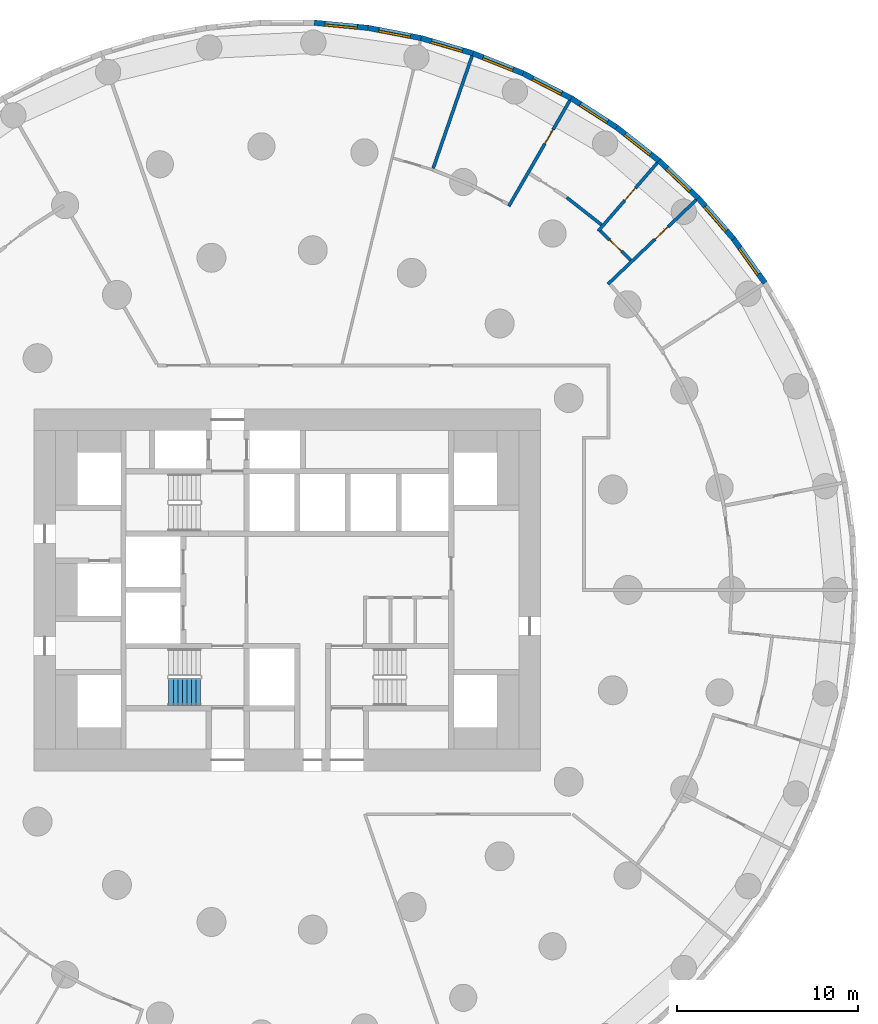
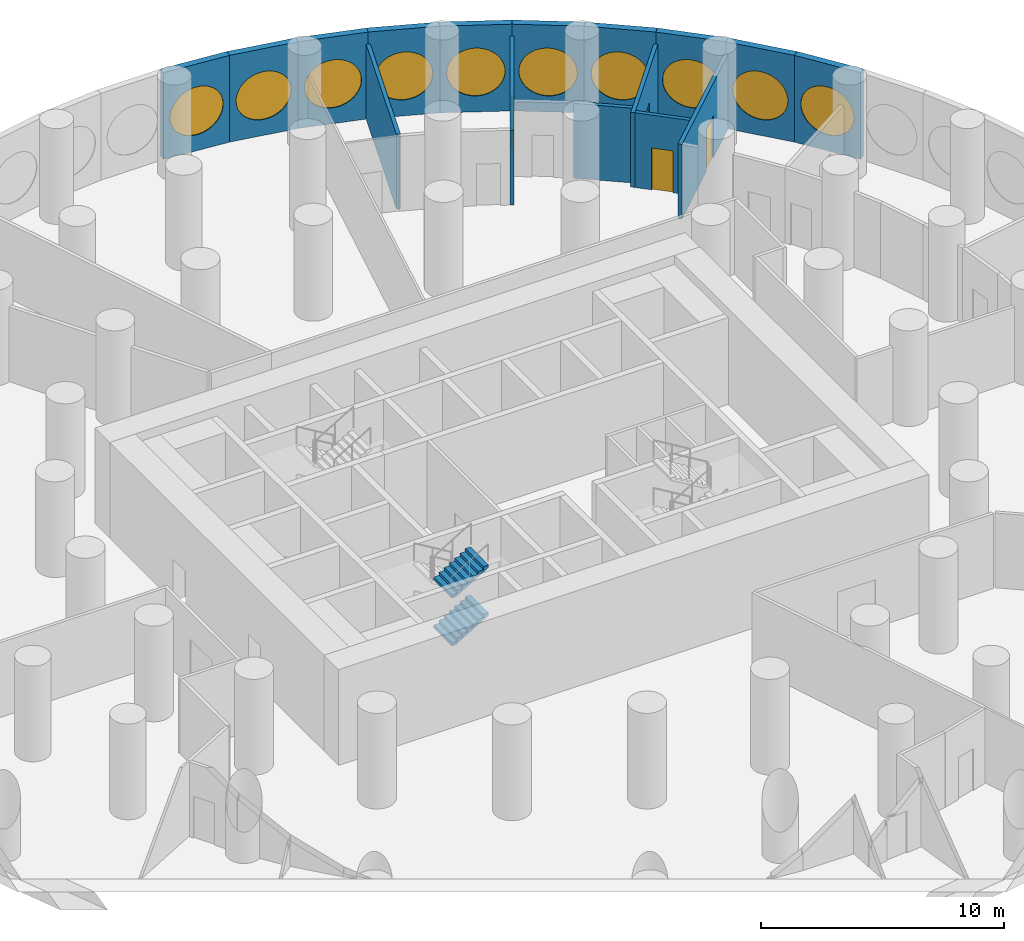
# One storey, part 9 of 12: 16 walls, 10 windows, 4 doors, 2 stair flights, 14 openings, 1 element without a shape of its own.
"""IFC4 building model written with IfcOpenShell, lengths in metres."""

from ifc_helpers import new_model, si_unit, direction, frame, frame_2d, origin, origin_2d, place, context, subcontext, project, spatial, polyline, rectangle, circle, outline, extrude, material, layer, layer_set, type_object, element, fill, aggregate, save


model = new_model("IFC4")

# Units and contexts
model_context = context("Model", 3, precision=1e-05, world=origin(), true_north=direction((0.0, 1.0)))
body_context = subcontext(model_context, "Body", "Model", "MODEL_VIEW")
ifc_project = project(units=[si_unit("LENGTHUNIT", "METRE"), si_unit("AREAUNIT", "SQUARE_METRE"), si_unit("VOLUMEUNIT", "CUBIC_METRE"), si_unit("PLANEANGLEUNIT", "RADIAN"), si_unit("MASSUNIT", "GRAM", prefix="KILO")], contexts=[model_context])

# Site, building, storey
site_placement = place(None, origin())
site = spatial("IfcSite", under=ifc_project, at=site_placement, CompositionType="ELEMENT")
building_placement = place(site_placement, origin())
building = spatial("IfcBuilding", under=site, at=building_placement, Name="Tracery Tower", CompositionType="ELEMENT")
storey_placement = place(building_placement, frame((0.0, 0.0, 13.800048828125)))
storey = spatial("IfcBuildingStorey", under=building, at=storey_placement, Name="L02", CompositionType="ELEMENT", Elevation=13.800048828125)

# Wall
ifc_material_1 = material(Name="Plasterboard on steel studs", Category="steel")
ifc_layer_1 = layer(ifc_material_1, 0.175048828125)
ifc_layer_set_1 = layer_set([ifc_layer_1], Name="Compartment partition 175")
wall_type_1 = type_object("IfcWallType", Name="Compartment partition 175", PredefinedType="PARTITIONING", material=ifc_layer_set_1)
wall_1_placement = place(storey_placement, frame((10.21240234375, 29.507080078125, 0.0), z_axis=(0.0, 0.0, 1.0), x_axis=(-0.327042919546, -0.945009486077, 0.0)))
element("IfcWall", 1, at=wall_1_placement, inside=storey, type_object=wall_type_1, Name="Compartment partition 175", PredefinedType="PARTITIONING", context=body_context, shape_type="SweptSolid", body=[
    extrude(rectangle(XDim=6.570068359375, YDim=0.175048828125, at=frame_2d((3.28515625, 0.0))), origin(), (0.0, 0.0, 1.0), 3.75),
])

# Wall, opening, door
wall_2_placement = place(storey_placement, frame((12.23974609375, 21.19970703125, 0.0), z_axis=(0.0, 0.0, 1.0), x_axis=(0.499981470728, 0.8660361014, 0.0)))
wall_2 = element("IfcWall", 2, at=wall_2_placement, inside=storey, type_object=wall_type_1, Name="Compartment partition 175", PredefinedType="PARTITIONING", context=body_context, shape_type="SweptSolid", body=[
    extrude(rectangle(XDim=6.744873046875, YDim=0.175048828125, at=frame_2d((3.37255859375, 0.0))), origin(), (0.0, 0.0, 1.0), 3.75),
])
opening_1_placement = place(wall_2_placement, frame((3.992431640625, 0.0, 0.0)))
opening_1 = element("IfcOpeningElement", 3, at=opening_1_placement, cuts=wall_2, Name="Opening SB-L02-13", PredefinedType="OPENING", context=body_context, shape_type="SweptSolid", body=[
    extrude(rectangle(XDim=0.89990234375, YDim=2.10009765625, at=frame_2d((0.449951171875, 1.050048828125))), frame((0.0, 0.08740234375, 0.0), z_axis=(0.0, -1.0, 0.0), x_axis=(1.0, 0.0, 0.0)), (0.0, 0.0, 1.0), 0.175048828125),
])
ifc_material_2 = material(Name="Steel fire door", Category="steel")
door_type_1 = type_object("IfcDoorType", Name="Store door 900", OperationType="NOTDEFINED", PredefinedType="DOOR", material=ifc_material_2)
door_1_placement = place(opening_1_placement, origin())
door_1 = element("IfcDoor", 4, at=door_1_placement, inside=storey, type_object=door_type_1, Name="Store door 900", OperationType="SINGLE_SWING_RIGHT", OverallHeight=2.10009765625, OverallWidth=0.89990234375, PredefinedType="DOOR", context=body_context, shape_type="SweptSolid", body=[
    extrude(rectangle(XDim=0.89990234375, YDim=2.10009765625, at=frame_2d((0.449951171875, 1.050048828125))), frame((0.0, 0.02490234375, 0.0), z_axis=(0.0, -1.0, 0.0), x_axis=(1.0, 0.0, 0.0)), (0.0, 0.0, 1.0), 0.050048828125),
])
fill(opening_1, door_1)

# Wall
wall_3_placement = place(storey_placement, frame((17.361328125, 20.172607421875, 0.0), z_axis=(0.0, 0.0, 1.0), x_axis=(-0.786037421758, 0.618178915522, 0.0)))
element("IfcWall", 5, at=wall_3_placement, inside=storey, type_object=wall_type_1, Name="Compartment partition 175", PredefinedType="PARTITIONING", context=body_context, shape_type="SweptSolid", body=[
    extrude(rectangle(XDim=2.443359375, YDim=0.175048828125, at=frame_2d((1.2216796875, 0.0))), origin(), (0.0, 0.0, 1.0), 3.75),
])

# Wall, opening, door
wall_4_placement = place(storey_placement, frame((17.29833984375, 19.829833984375, 0.0), z_axis=(0.0, 0.0, 1.0), x_axis=(0.723793587031, -0.69001655297, 0.0)))
wall_4 = element("IfcWall", 6, at=wall_4_placement, inside=storey, type_object=wall_type_1, Name="Compartment partition 175", PredefinedType="PARTITIONING", context=body_context, shape_type="SweptSolid", body=[
    extrude(rectangle(XDim=2.327392578125, YDim=0.175048828125, at=frame_2d((1.16357421875, 0.0))), origin(), (0.0, 0.0, 1.0), 3.75),
])
opening_2_placement = place(wall_4_placement, frame((0.71484375, 0.0, 0.0)))
opening_2 = element("IfcOpeningElement", 7, at=opening_2_placement, cuts=wall_4, Name="Opening SB-L02-05", PredefinedType="OPENING", context=body_context, shape_type="SweptSolid", body=[
    extrude(rectangle(XDim=0.89990234375, YDim=2.10009765625, at=frame_2d((0.449951171875, 1.050048828125))), frame((0.0, 0.08740234375, 0.0), z_axis=(0.0, -1.0, 0.0), x_axis=(1.0, 0.0, 0.0)), (0.0, 0.0, 1.0), 0.175048828125),
])
door_2_placement = place(opening_2_placement, origin())
door_2 = element("IfcDoor", 8, at=door_2_placement, inside=storey, type_object=door_type_1, Name="Store door 900", OperationType="SINGLE_SWING_RIGHT", OverallHeight=2.10009765625, OverallWidth=0.89990234375, PredefinedType="DOOR", context=body_context, shape_type="SweptSolid", body=[
    extrude(rectangle(XDim=0.89990234375, YDim=2.10009765625, at=frame_2d((0.449951171875, 1.050048828125))), frame((0.0, 0.02490234375, 0.0), z_axis=(0.0, -1.0, 0.0), x_axis=(1.0, 0.0, 0.0)), (0.0, 0.0, 1.0), 0.050048828125),
])
fill(opening_2, door_2)

wall_5_placement = place(storey_placement, frame((17.177734375, 19.82421875, 0.0), z_axis=(0.0, 0.0, 1.0), x_axis=(0.654869105533, 0.755742320251, 0.0)))
wall_5 = element("IfcWall", 9, at=wall_5_placement, inside=storey, type_object=wall_type_1, Name="Compartment partition 175", PredefinedType="PARTITIONING", context=body_context, shape_type="SweptSolid", body=[
    extrude(rectangle(XDim=4.992919921875, YDim=0.175048828125, at=frame_2d((2.49658203125, 0.0))), origin(), (0.0, 0.0, 1.0), 3.75),
])
opening_3_placement = place(wall_5_placement, frame((2.240478515625, 0.0, 0.0)))
opening_3 = element("IfcOpeningElement", 10, at=opening_3_placement, cuts=wall_5, Name="Opening SB-L02-12", PredefinedType="OPENING", context=body_context, shape_type="SweptSolid", body=[
    extrude(rectangle(XDim=0.89990234375, YDim=2.10009765625, at=frame_2d((0.449951171875, 1.050048828125))), frame((0.0, 0.08740234375, 0.0), z_axis=(0.0, -1.0, 0.0), x_axis=(1.0, 0.0, 0.0)), (0.0, 0.0, 1.0), 0.175048828125),
])
door_3_placement = place(opening_3_placement, origin())
door_3 = element("IfcDoor", 11, at=door_3_placement, inside=storey, type_object=door_type_1, Name="Store door 900", OperationType="SINGLE_SWING_RIGHT", OverallHeight=2.10009765625, OverallWidth=0.89990234375, PredefinedType="DOOR", context=body_context, shape_type="SweptSolid", body=[
    extrude(rectangle(XDim=0.89990234375, YDim=2.10009765625, at=frame_2d((0.449951171875, 1.050048828125))), frame((0.0, 0.02490234375, 0.0), z_axis=(0.0, -1.0, 0.0), x_axis=(1.0, 0.0, 0.0)), (0.0, 0.0, 1.0), 0.050048828125),
])
fill(opening_3, door_3)

wall_6_placement = place(storey_placement, frame((17.716552734375, 16.892578125, 0.0), z_axis=(0.0, 0.0, 1.0), x_axis=(0.723737544967, 0.690075333573, 0.0)))
wall_6 = element("IfcWall", 12, at=wall_6_placement, inside=storey, type_object=wall_type_1, Name="Compartment partition 175", PredefinedType="PARTITIONING", context=body_context, shape_type="SweptSolid", body=[
    extrude(rectangle(XDim=6.744873046875, YDim=0.175048828125, at=frame_2d((3.37255859375, 0.0))), origin(), (0.0, 0.0, 1.0), 3.75),
])
opening_4_placement = place(wall_6_placement, frame((3.59228515625, 0.0, 0.0)))
opening_4 = element("IfcOpeningElement", 13, at=opening_4_placement, cuts=wall_6, Name="Opening SB-L02-11", PredefinedType="OPENING", context=body_context, shape_type="SweptSolid", body=[
    extrude(rectangle(XDim=1.0, YDim=2.10009765625, at=frame_2d((0.5, 1.050048828125))), frame((0.0, 0.08740234375, 0.0), z_axis=(0.0, -1.0, 0.0), x_axis=(1.0, 0.0, 0.0)), (0.0, 0.0, 1.0), 0.175048828125),
])
ifc_material_3 = material(Name="Steel fire door", Category="steel")
door_type_2 = type_object("IfcDoorType", Name="Kitchen door 1000", OperationType="NOTDEFINED", PredefinedType="DOOR", material=ifc_material_3)
door_4_placement = place(opening_4_placement, origin())
door_4 = element("IfcDoor", 14, at=door_4_placement, inside=storey, type_object=door_type_2, Name="Kitchen door 1000", OperationType="SINGLE_SWING_RIGHT", OverallHeight=2.10009765625, OverallWidth=1.0, PredefinedType="DOOR", context=body_context, shape_type="SweptSolid", body=[
    extrude(rectangle(XDim=1.0, YDim=2.10009765625, at=frame_2d((0.5, 1.050048828125))), frame((0.0, 0.02490234375, 0.0), z_axis=(0.0, -1.0, 0.0), x_axis=(1.0, 0.0, 0.0)), (0.0, 0.0, 1.0), 0.050048828125),
])
fill(opening_4, door_4)

# Wall, opening, window
ifc_material_4 = material(Name="Precast concrete C50/60", Category="concrete")
ifc_layer_2 = layer(ifc_material_4, 0.300048828125)
ifc_layer_set_2 = layer_set([ifc_layer_2], Name="Facade panel 3000 x 4350")
wall_type_2 = type_object("IfcWallType", Name="Facade panel 3000 x 4350", PredefinedType="SOLIDWALL", material=ifc_layer_set_2)
wall_7_placement = place(storey_placement, frame((26.393798828125, 16.96240234375, 0.0), z_axis=(0.0, 0.0, 1.0), x_axis=(-0.580100533892, 0.814544885551, 0.0)))
wall_7 = element("IfcWall", 15, at=wall_7_placement, inside=storey, type_object=wall_type_2, Name="Facade panel 7 at L02", PredefinedType="SOLIDWALL", context=body_context, shape_type="SweptSolid", body=[
    extrude(rectangle(XDim=2.985595703125, YDim=0.300048828125, at=frame_2d((1.49267578125, 0.0))), origin(), (0.0, 0.0, 1.0), 4.349853515625),
])
opening_5_placement = place(wall_7_placement, frame((1.492919921875, 0.0, 2.0)))
opening_5 = element("IfcOpeningElement", 16, at=opening_5_placement, cuts=wall_7, Name="Opening WN2", PredefinedType="OPENING", context=body_context, shape_type="SweptSolid", body=[
    extrude(circle(Radius=1.199951171875, at=origin_2d()), frame((0.0, 0.159912109375, 0.0), z_axis=(0.0, -1.0, 0.0), x_axis=(1.0, 0.0, 0.0)), (0.0, 0.0, 1.0), 0.320068359375),
])
ifc_material_5 = material(Name="Aluminium frame with tinted double glazing", Category="aluminium")
window_type = type_object("IfcWindowType", Name="Round window 2400", PartitioningType="SINGLE_PANEL", PredefinedType="WINDOW", material=ifc_material_5)
window_1_placement = place(opening_5_placement, origin())
window_1 = element("IfcWindow", 17, at=window_1_placement, inside=storey, type_object=window_type, Name="Round window 7 at L02", OverallHeight=2.39990234375, OverallWidth=2.39990234375, PartitioningType="SINGLE_PANEL", PredefinedType="WINDOW", context=body_context, shape_type="SweptSolid", body=[
    extrude(circle(Radius=1.199951171875, at=origin_2d()), frame((0.0, 0.1201171875, 0.0), z_axis=(0.0, -1.0, 0.0), x_axis=(1.0, 0.0, 0.0)), (0.0, 0.0, 1.0), 0.10009765625),
])
fill(opening_5, window_1)

wall_8_placement = place(storey_placement, frame((24.661865234375, 19.394287109375, 0.0), z_axis=(0.0, 0.0, 1.0), x_axis=(-0.654809121128, 0.755794294029, 0.0)))
wall_8 = element("IfcWall", 18, at=wall_8_placement, inside=storey, type_object=wall_type_2, Name="Facade panel 8 at L02", PredefinedType="SOLIDWALL", context=body_context, shape_type="SweptSolid", body=[
    extrude(rectangle(XDim=2.98583984375, YDim=0.300048828125, at=frame_2d((1.492919921875, 0.0))), origin(), (0.0, 0.0, 1.0), 4.349853515625),
])
opening_6_placement = place(wall_8_placement, frame((1.492919921875, 0.0, 2.0)))
opening_6 = element("IfcOpeningElement", 19, at=opening_6_placement, cuts=wall_8, Name="Opening WN2", PredefinedType="OPENING", context=body_context, shape_type="SweptSolid", body=[
    extrude(circle(Radius=1.199951171875, at=origin_2d()), frame((0.0, 0.159912109375, 0.0), z_axis=(0.0, -1.0, 0.0), x_axis=(1.0, 0.0, 0.0)), (0.0, 0.0, 1.0), 0.320068359375),
])
window_2_placement = place(opening_6_placement, origin())
window_2 = element("IfcWindow", 20, at=window_2_placement, inside=storey, type_object=window_type, Name="Round window 8 at L02", OverallHeight=2.39990234375, OverallWidth=2.39990234375, PartitioningType="SINGLE_PANEL", PredefinedType="WINDOW", context=body_context, shape_type="SweptSolid", body=[
    extrude(circle(Radius=1.199951171875, at=origin_2d()), frame((0.0, 0.1201171875, 0.0), z_axis=(0.0, -1.0, 0.0), x_axis=(1.0, 0.0, 0.0)), (0.0, 0.0, 1.0), 0.10009765625),
])
fill(opening_6, window_2)

wall_9_placement = place(storey_placement, frame((22.706787109375, 21.65087890625, 0.0), z_axis=(0.0, 0.0, 1.0), x_axis=(-0.723750841228, 0.690061388444, 0.0)))
wall_9 = element("IfcWall", 21, at=wall_9_placement, inside=storey, type_object=wall_type_2, Name="Facade panel 9 at L02", PredefinedType="SOLIDWALL", context=body_context, shape_type="SweptSolid", body=[
    extrude(rectangle(XDim=2.985595703125, YDim=0.300048828125, at=frame_2d((1.49267578125, 0.0))), origin(), (0.0, 0.0, 1.0), 4.349853515625),
])
opening_7_placement = place(wall_9_placement, frame((1.492919921875, 0.0, 2.0)))
opening_7 = element("IfcOpeningElement", 22, at=opening_7_placement, cuts=wall_9, Name="Opening WN2", PredefinedType="OPENING", context=body_context, shape_type="SweptSolid", body=[
    extrude(circle(Radius=1.199951171875, at=origin_2d()), frame((0.0, 0.159912109375, 0.0), z_axis=(0.0, -1.0, 0.0), x_axis=(1.0, 0.0, 0.0)), (0.0, 0.0, 1.0), 0.320068359375),
])
window_3_placement = place(opening_7_placement, origin())
window_3 = element("IfcWindow", 23, at=window_3_placement, inside=storey, type_object=window_type, Name="Round window 9 at L02", OverallHeight=2.39990234375, OverallWidth=2.39990234375, PartitioningType="SINGLE_PANEL", PredefinedType="WINDOW", context=body_context, shape_type="SweptSolid", body=[
    extrude(circle(Radius=1.199951171875, at=origin_2d()), frame((0.0, 0.1201171875, 0.0), z_axis=(0.0, -1.0, 0.0), x_axis=(1.0, 0.0, 0.0)), (0.0, 0.0, 1.0), 0.10009765625),
])
fill(opening_7, window_3)

wall_10_placement = place(storey_placement, frame((20.5458984375, 23.711181640625, 0.0), z_axis=(0.0, 0.0, 1.0), x_axis=(-0.786043032847, 0.618171780747, 0.0)))
wall_10 = element("IfcWall", 24, at=wall_10_placement, inside=storey, type_object=wall_type_2, Name="Facade panel 10 at L02", PredefinedType="SOLIDWALL", context=body_context, shape_type="SweptSolid", body=[
    extrude(rectangle(XDim=2.98583984375, YDim=0.300048828125, at=frame_2d((1.492919921875, 0.0))), origin(), (0.0, 0.0, 1.0), 4.349853515625),
])
opening_8_placement = place(wall_10_placement, frame((1.492919921875, 0.0, 2.0)))
opening_8 = element("IfcOpeningElement", 25, at=opening_8_placement, cuts=wall_10, Name="Opening WN2", PredefinedType="OPENING", context=body_context, shape_type="SweptSolid", body=[
    extrude(circle(Radius=1.199951171875, at=origin_2d()), frame((0.0, 0.159912109375, 0.0), z_axis=(0.0, -1.0, 0.0), x_axis=(1.0, 0.0, 0.0)), (0.0, 0.0, 1.0), 0.320068359375),
])
window_4_placement = place(opening_8_placement, origin())
window_4 = element("IfcWindow", 26, at=window_4_placement, inside=storey, type_object=window_type, Name="Round window 10 at L02", OverallHeight=2.39990234375, OverallWidth=2.39990234375, PartitioningType="SINGLE_PANEL", PredefinedType="WINDOW", context=body_context, shape_type="SweptSolid", body=[
    extrude(circle(Radius=1.199951171875, at=origin_2d()), frame((0.0, 0.1201171875, 0.0), z_axis=(0.0, -1.0, 0.0), x_axis=(1.0, 0.0, 0.0)), (0.0, 0.0, 1.0), 0.10009765625),
])
fill(opening_8, window_4)

wall_11_placement = place(storey_placement, frame((18.198974609375, 25.556884765625, 0.0), z_axis=(0.0, 0.0, 1.0), x_axis=(-0.841242231846, 0.540658401727, 0.0)))
wall_11 = element("IfcWall", 27, at=wall_11_placement, inside=storey, type_object=wall_type_2, Name="Facade panel 11 at L02", PredefinedType="SOLIDWALL", context=body_context, shape_type="SweptSolid", body=[
    extrude(rectangle(XDim=2.98583984375, YDim=0.300048828125, at=frame_2d((1.492919921875, 0.0))), origin(), (0.0, 0.0, 1.0), 4.349853515625),
])
opening_9_placement = place(wall_11_placement, frame((1.492919921875, 0.0, 2.0)))
opening_9 = element("IfcOpeningElement", 28, at=opening_9_placement, cuts=wall_11, Name="Opening WN2", PredefinedType="OPENING", context=body_context, shape_type="SweptSolid", body=[
    extrude(circle(Radius=1.199951171875, at=origin_2d()), frame((0.0, 0.159912109375, 0.0), z_axis=(0.0, -1.0, 0.0), x_axis=(1.0, 0.0, 0.0)), (0.0, 0.0, 1.0), 0.320068359375),
])
window_5_placement = place(opening_9_placement, origin())
window_5 = element("IfcWindow", 29, at=window_5_placement, inside=storey, type_object=window_type, Name="Round window 11 at L02", OverallHeight=2.39990234375, OverallWidth=2.39990234375, PartitioningType="SINGLE_PANEL", PredefinedType="WINDOW", context=body_context, shape_type="SweptSolid", body=[
    extrude(circle(Radius=1.199951171875, at=origin_2d()), frame((0.0, 0.1201171875, 0.0), z_axis=(0.0, -1.0, 0.0), x_axis=(1.0, 0.0, 0.0)), (0.0, 0.0, 1.0), 0.10009765625),
])
fill(opening_9, window_5)

wall_12_placement = place(storey_placement, frame((15.687255859375, 27.171142578125, 0.0), z_axis=(0.0, 0.0, 1.0), x_axis=(-0.888831268481, 0.458234630043, 0.0)))
wall_12 = element("IfcWall", 30, at=wall_12_placement, inside=storey, type_object=wall_type_2, Name="Facade panel 12 at L02", PredefinedType="SOLIDWALL", context=body_context, shape_type="SweptSolid", body=[
    extrude(rectangle(XDim=2.98583984375, YDim=0.300048828125, at=frame_2d((1.492919921875, 0.0))), origin(), (0.0, 0.0, 1.0), 4.349853515625),
])
opening_10_placement = place(wall_12_placement, frame((1.492919921875, 0.0, 2.0)))
opening_10 = element("IfcOpeningElement", 31, at=opening_10_placement, cuts=wall_12, Name="Opening WN2", PredefinedType="OPENING", context=body_context, shape_type="SweptSolid", body=[
    extrude(circle(Radius=1.199951171875, at=origin_2d()), frame((0.0, 0.159912109375, 0.0), z_axis=(0.0, -1.0, 0.0), x_axis=(1.0, 0.0, 0.0)), (0.0, 0.0, 1.0), 0.320068359375),
])
window_6_placement = place(opening_10_placement, origin())
window_6 = element("IfcWindow", 32, at=window_6_placement, inside=storey, type_object=window_type, Name="Round window 12 at L02", OverallHeight=2.39990234375, OverallWidth=2.39990234375, PartitioningType="SINGLE_PANEL", PredefinedType="WINDOW", context=body_context, shape_type="SweptSolid", body=[
    extrude(circle(Radius=1.199951171875, at=origin_2d()), frame((0.0, 0.1201171875, 0.0), z_axis=(0.0, -1.0, 0.0), x_axis=(1.0, 0.0, 0.0)), (0.0, 0.0, 1.0), 0.10009765625),
])
fill(opening_10, window_6)

wall_13_placement = place(storey_placement, frame((13.033447265625, 28.539306640625, 0.0), z_axis=(0.0, 0.0, 1.0), x_axis=(-0.928380795373, 0.371630325434, 0.0)))
wall_13 = element("IfcWall", 33, at=wall_13_placement, inside=storey, type_object=wall_type_2, Name="Facade panel 13 at L02", PredefinedType="SOLIDWALL", context=body_context, shape_type="SweptSolid", body=[
    extrude(rectangle(XDim=2.98583984375, YDim=0.300048828125, at=frame_2d((1.492919921875, 0.0))), origin(), (0.0, 0.0, 1.0), 4.349853515625),
])
opening_11_placement = place(wall_13_placement, frame((1.492919921875, 0.0, 2.0)))
opening_11 = element("IfcOpeningElement", 34, at=opening_11_placement, cuts=wall_13, Name="Opening WN2", PredefinedType="OPENING", context=body_context, shape_type="SweptSolid", body=[
    extrude(circle(Radius=1.199951171875, at=origin_2d()), frame((0.0, 0.159912109375, 0.0), z_axis=(0.0, -1.0, 0.0), x_axis=(1.0, 0.0, 0.0)), (0.0, 0.0, 1.0), 0.320068359375),
])
window_7_placement = place(opening_11_placement, origin())
window_7 = element("IfcWindow", 35, at=window_7_placement, inside=storey, type_object=window_type, Name="Round window 13 at L02", OverallHeight=2.39990234375, OverallWidth=2.39990234375, PartitioningType="SINGLE_PANEL", PredefinedType="WINDOW", context=body_context, shape_type="SweptSolid", body=[
    extrude(circle(Radius=1.199951171875, at=origin_2d()), frame((0.0, 0.1201171875, 0.0), z_axis=(0.0, -1.0, 0.0), x_axis=(1.0, 0.0, 0.0)), (0.0, 0.0, 1.0), 0.10009765625),
])
fill(opening_11, window_7)

wall_14_placement = place(storey_placement, frame((10.261474609375, 29.64892578125, 0.0), z_axis=(0.0, 0.0, 1.0), x_axis=(-0.959502108153, 0.281701445593, 0.0)))
wall_14 = element("IfcWall", 36, at=wall_14_placement, inside=storey, type_object=wall_type_2, Name="Facade panel 14 at L02", PredefinedType="SOLIDWALL", context=body_context, shape_type="SweptSolid", body=[
    extrude(rectangle(XDim=2.985595703125, YDim=0.300048828125, at=frame_2d((1.49267578125, 0.0))), origin(), (0.0, 0.0, 1.0), 4.349853515625),
])
opening_12_placement = place(wall_14_placement, frame((1.492919921875, 0.0, 2.0)))
opening_12 = element("IfcOpeningElement", 37, at=opening_12_placement, cuts=wall_14, Name="Opening WN2", PredefinedType="OPENING", context=body_context, shape_type="SweptSolid", body=[
    extrude(circle(Radius=1.199951171875, at=origin_2d()), frame((0.0, 0.159912109375, 0.0), z_axis=(0.0, -1.0, 0.0), x_axis=(1.0, 0.0, 0.0)), (0.0, 0.0, 1.0), 0.320068359375),
])
window_8_placement = place(opening_12_placement, origin())
window_8 = element("IfcWindow", 38, at=window_8_placement, inside=storey, type_object=window_type, Name="Round window 14 at L02", OverallHeight=2.39990234375, OverallWidth=2.39990234375, PartitioningType="SINGLE_PANEL", PredefinedType="WINDOW", context=body_context, shape_type="SweptSolid", body=[
    extrude(circle(Radius=1.199951171875, at=origin_2d()), frame((0.0, 0.1201171875, 0.0), z_axis=(0.0, -1.0, 0.0), x_axis=(1.0, 0.0, 0.0)), (0.0, 0.0, 1.0), 0.10009765625),
])
fill(opening_12, window_8)

wall_15_placement = place(storey_placement, frame((7.396728515625, 30.489990234375, 0.0), z_axis=(0.0, 0.0, 1.0), x_axis=(-0.981918853666, 0.189302310646, 0.0)))
wall_15 = element("IfcWall", 39, at=wall_15_placement, inside=storey, type_object=wall_type_2, Name="Facade panel 15 at L02", PredefinedType="SOLIDWALL", context=body_context, shape_type="SweptSolid", body=[
    extrude(rectangle(XDim=2.985595703125, YDim=0.300048828125, at=frame_2d((1.49267578125, 0.0))), origin(), (0.0, 0.0, 1.0), 4.349853515625),
])
opening_13_placement = place(wall_15_placement, frame((1.492919921875, 0.0, 2.0)))
opening_13 = element("IfcOpeningElement", 40, at=opening_13_placement, cuts=wall_15, Name="Opening WN2", PredefinedType="OPENING", context=body_context, shape_type="SweptSolid", body=[
    extrude(circle(Radius=1.199951171875, at=origin_2d()), frame((0.0, 0.159912109375, 0.0), z_axis=(0.0, -1.0, 0.0), x_axis=(1.0, 0.0, 0.0)), (0.0, 0.0, 1.0), 0.320068359375),
])
window_9_placement = place(opening_13_placement, origin())
window_9 = element("IfcWindow", 41, at=window_9_placement, inside=storey, type_object=window_type, Name="Round window 15 at L02", OverallHeight=2.39990234375, OverallWidth=2.39990234375, PartitioningType="SINGLE_PANEL", PredefinedType="WINDOW", context=body_context, shape_type="SweptSolid", body=[
    extrude(circle(Radius=1.199951171875, at=origin_2d()), frame((0.0, 0.1201171875, 0.0), z_axis=(0.0, -1.0, 0.0), x_axis=(1.0, 0.0, 0.0)), (0.0, 0.0, 1.0), 0.10009765625),
])
fill(opening_13, window_9)

wall_16_placement = place(storey_placement, frame((4.465087890625, 31.05517578125, 0.0), z_axis=(0.0, 0.0, 1.0), x_axis=(-0.99547560533, 0.095017467833, 0.0)))
wall_16 = element("IfcWall", 42, at=wall_16_placement, inside=storey, type_object=wall_type_2, Name="Facade panel 16 at L02", PredefinedType="SOLIDWALL", context=body_context, shape_type="SweptSolid", body=[
    extrude(rectangle(XDim=2.985595703125, YDim=0.300048828125, at=frame_2d((1.49267578125, 0.0))), origin(), (0.0, 0.0, 1.0), 4.349853515625),
])
opening_14_placement = place(wall_16_placement, frame((1.492919921875, 0.0, 2.0)))
opening_14 = element("IfcOpeningElement", 43, at=opening_14_placement, cuts=wall_16, Name="Opening WN2", PredefinedType="OPENING", context=body_context, shape_type="SweptSolid", body=[
    extrude(circle(Radius=1.199951171875, at=origin_2d()), frame((0.0, 0.159912109375, 0.0), z_axis=(0.0, -1.0, 0.0), x_axis=(1.0, 0.0, 0.0)), (0.0, 0.0, 1.0), 0.320068359375),
])
window_10_placement = place(opening_14_placement, origin())
window_10 = element("IfcWindow", 44, at=window_10_placement, inside=storey, type_object=window_type, Name="Round window 16 at L02", OverallHeight=2.39990234375, OverallWidth=2.39990234375, PartitioningType="SINGLE_PANEL", PredefinedType="WINDOW", context=body_context, shape_type="SweptSolid", body=[
    extrude(circle(Radius=1.199951171875, at=origin_2d()), frame((0.0, 0.1201171875, 0.0), z_axis=(0.0, -1.0, 0.0), x_axis=(1.0, 0.0, 0.0)), (0.0, 0.0, 1.0), 0.10009765625),
])
fill(opening_14, window_10)

# Stair, stair flights
ifc_material_6 = material(Name="Concrete C32/40", Category="concrete")
stair_type = type_object("IfcStairType", Name="Core stair 32 risers", PredefinedType="HALF_TURN_STAIR", material=ifc_material_6)
stair_placement = place(storey_placement, origin())
stair = element("IfcStair", 45, at=stair_placement, inside=storey, type_object=stair_type, Name="L02 stair ST1", PredefinedType="HALF_TURN_STAIR")
ifc_material_7 = material(Name="Concrete C32/40", Category="concrete")
stair_flight_type = type_object("IfcStairFlightType", Name="Core stair flight 8 risers", PredefinedType="STRAIGHT", material=ifc_material_7)
stair_flight_1_placement = place(storey_placement, frame((-6.550048828125, -5.64990234375, 1.199951171875), z_axis=(0.0, 0.0, 1.0), x_axis=(1.0, 0.0, 0.0)))
stair_flight_1 = element("IfcStairFlight", 46, at=stair_flight_1_placement, type_object=stair_flight_type, Name="ST1 flight 2", NumberOfRisers=8, NumberOfTreads=7, PredefinedType="STRAIGHT", RiserHeight=0.15, TreadLength=0.25, context=body_context, shape_type="SweptSolid", body=[
    extrude(outline(polyline([(0.0, 0.0), (0.0, 0.00244140625), (0.0, 0.0048828125), (0.0, 0.00732421875), (0.0, 0.009765625), (0.0, 0.01220703125), (0.0, 0.0146484375), (0.0, 0.017333984375), (0.0, 0.019775390625), (0.0, 0.022216796875), (0.0, 0.024658203125), (0.0, 0.027099609375), (0.0, 0.029541015625), (0.0, 0.031982421875), (0.0, 0.034423828125), (0.0, 0.036865234375), (0.0, 0.039306640625), (0.0, 0.041748046875), (0.0, 0.044189453125), (0.0, 0.046630859375), (0.0, 0.049072265625), (0.0, 0.0517578125), (0.0, 0.05419921875), (0.0, 0.056640625), (0.0, 0.05908203125), (0.0, 0.0615234375), (0.0, 0.06396484375), (0.0, 0.06640625), (0.0, 0.06884765625), (0.0, 0.0712890625), (0.0, 0.07373046875), (0.0, 0.076171875), (0.0, 0.07861328125), (0.0, 0.0810546875), (0.0, 0.08349609375), (0.0, 0.086181640625), (0.0, 0.088623046875), (0.0, 0.091064453125), (0.0, 0.093505859375), (0.0, 0.095947265625), (0.0, 0.098388671875), (0.0, 0.100830078125), (0.0, 0.103271484375), (0.0, 0.105712890625), (0.0, 0.108154296875), (0.0, 0.110595703125), (0.0, 0.113037109375), (0.0, 0.115478515625), (0.0, 0.117919921875), (0.0, 0.12060546875), (0.0, 0.123046875), (0.0, 0.12548828125), (0.0, 0.1279296875), (0.0, 0.13037109375), (0.0, 0.1328125), (0.0, 0.13525390625), (0.0, 0.1376953125), (0.0, 0.14013671875), (0.0, 0.142578125), (0.0, 0.14501953125), (0.0, 0.1474609375), (0.0, 0.14990234375), (0.25, 0.14990234375), (0.25, 0.300048828125), (0.5, 0.300048828125), (0.5, 0.449951171875), (0.75, 0.449951171875), (0.75, 0.60009765625), (1.0, 0.60009765625), (1.0, 0.75), (1.25, 0.75), (1.25, 0.89990234375), (1.5, 0.89990234375), (1.5, 1.050048828125), (1.75, 1.050048828125), (1.75, 1.048095703125), (1.75, 1.046142578125), (1.75, 1.044189453125), (1.75, 1.042236328125), (1.75, 1.04052734375), (1.75, 1.03857421875), (1.75, 1.03662109375), (1.75, 1.03466796875), (1.75, 1.03271484375), (1.75, 1.03076171875), (1.75, 1.029052734375), (1.75, 1.027099609375), (1.75, 1.025146484375), (1.75, 1.023193359375), (1.75, 1.021240234375), (1.75, 1.019287109375), (1.75, 1.017578125), (1.75, 1.015625), (1.75, 1.013671875), (1.75, 1.01171875), (1.75, 1.009765625), (1.75, 1.0078125), (1.75, 1.006103515625), (1.75, 1.004150390625), (1.75, 1.002197265625), (1.75, 1.000244140625), (1.75, 0.998291015625), (1.75, 0.996337890625), (1.75, 0.994384765625), (1.75, 0.99267578125), (1.75, 0.99072265625), (1.75, 0.98876953125), (1.75, 0.98681640625), (1.75, 0.98486328125), (1.75, 0.98291015625), (1.75, 0.981201171875), (1.75, 0.979248046875), (1.75, 0.977294921875), (1.75, 0.975341796875), (1.75, 0.973388671875), (1.75, 0.971435546875), (1.75, 0.9697265625), (1.75, 0.9677734375), (1.75, 0.9658203125), (1.75, 0.9638671875), (1.75, 0.9619140625), (1.75, 0.9599609375), (1.75, 0.958251953125), (1.75, 0.956298828125), (1.75, 0.954345703125), (1.75, 0.952392578125), (1.75, 0.950439453125), (1.75, 0.948486328125), (1.75, 0.94677734375), (1.75, 0.94482421875), (1.75, 0.94287109375), (1.75, 0.94091796875), (1.75, 0.93896484375), (1.75, 0.93701171875), (1.75, 0.935302734375), (1.75, 0.933349609375), (0.194580078125, 0.0), (0.0, 0.0)])), frame((0.0, 0.75, 0.0), z_axis=(0.0, -1.0, 0.0), x_axis=(1.0, 0.0, 0.0)), (0.0, 0.0, 1.0), 1.5),
])
stair_flight_2_placement = place(storey_placement, frame((-6.550048828125, -5.64990234375, 3.599853515625), z_axis=(0.0, 0.0, 1.0), x_axis=(1.0, 0.0, 0.0)))
stair_flight_2 = element("IfcStairFlight", 47, at=stair_flight_2_placement, type_object=stair_flight_type, Name="ST1 flight 4", NumberOfRisers=8, NumberOfTreads=7, PredefinedType="STRAIGHT", RiserHeight=0.15, TreadLength=0.25, context=body_context, shape_type="SweptSolid", body=[
    extrude(outline(polyline([(0.0, 0.0), (0.0, 0.00244140625), (0.0, 0.0048828125), (0.0, 0.00732421875), (0.0, 0.009765625), (0.0, 0.01220703125), (0.0, 0.0146484375), (0.0, 0.017333984375), (0.0, 0.019775390625), (0.0, 0.022216796875), (0.0, 0.024658203125), (0.0, 0.027099609375), (0.0, 0.029541015625), (0.0, 0.031982421875), (0.0, 0.034423828125), (0.0, 0.036865234375), (0.0, 0.039306640625), (0.0, 0.041748046875), (0.0, 0.044189453125), (0.0, 0.046630859375), (0.0, 0.049072265625), (0.0, 0.0517578125), (0.0, 0.05419921875), (0.0, 0.056640625), (0.0, 0.05908203125), (0.0, 0.0615234375), (0.0, 0.06396484375), (0.0, 0.06640625), (0.0, 0.06884765625), (0.0, 0.0712890625), (0.0, 0.07373046875), (0.0, 0.076171875), (0.0, 0.07861328125), (0.0, 0.0810546875), (0.0, 0.08349609375), (0.0, 0.086181640625), (0.0, 0.088623046875), (0.0, 0.091064453125), (0.0, 0.093505859375), (0.0, 0.095947265625), (0.0, 0.098388671875), (0.0, 0.100830078125), (0.0, 0.103271484375), (0.0, 0.105712890625), (0.0, 0.108154296875), (0.0, 0.110595703125), (0.0, 0.113037109375), (0.0, 0.115478515625), (0.0, 0.117919921875), (0.0, 0.12060546875), (0.0, 0.123046875), (0.0, 0.12548828125), (0.0, 0.1279296875), (0.0, 0.13037109375), (0.0, 0.1328125), (0.0, 0.13525390625), (0.0, 0.1376953125), (0.0, 0.14013671875), (0.0, 0.142578125), (0.0, 0.14501953125), (0.0, 0.1474609375), (0.0, 0.14990234375), (0.25, 0.14990234375), (0.25, 0.300048828125), (0.5, 0.300048828125), (0.5, 0.449951171875), (0.75, 0.449951171875), (0.75, 0.60009765625), (1.0, 0.60009765625), (1.0, 0.75), (1.25, 0.75), (1.25, 0.89990234375), (1.5, 0.89990234375), (1.5, 1.050048828125), (1.75, 1.050048828125), (1.75, 1.048095703125), (1.75, 1.046142578125), (1.75, 1.044189453125), (1.75, 1.042236328125), (1.75, 1.04052734375), (1.75, 1.03857421875), (1.75, 1.03662109375), (1.75, 1.03466796875), (1.75, 1.03271484375), (1.75, 1.03076171875), (1.75, 1.029052734375), (1.75, 1.027099609375), (1.75, 1.025146484375), (1.75, 1.023193359375), (1.75, 1.021240234375), (1.75, 1.019287109375), (1.75, 1.017578125), (1.75, 1.015625), (1.75, 1.013671875), (1.75, 1.01171875), (1.75, 1.009765625), (1.75, 1.0078125), (1.75, 1.006103515625), (1.75, 1.004150390625), (1.75, 1.002197265625), (1.75, 1.000244140625), (1.75, 0.998291015625), (1.75, 0.996337890625), (1.75, 0.994384765625), (1.75, 0.99267578125), (1.75, 0.99072265625), (1.75, 0.98876953125), (1.75, 0.98681640625), (1.75, 0.98486328125), (1.75, 0.98291015625), (1.75, 0.981201171875), (1.75, 0.979248046875), (1.75, 0.977294921875), (1.75, 0.975341796875), (1.75, 0.973388671875), (1.75, 0.971435546875), (1.75, 0.9697265625), (1.75, 0.9677734375), (1.75, 0.9658203125), (1.75, 0.9638671875), (1.75, 0.9619140625), (1.75, 0.9599609375), (1.75, 0.958251953125), (1.75, 0.956298828125), (1.75, 0.954345703125), (1.75, 0.952392578125), (1.75, 0.950439453125), (1.75, 0.948486328125), (1.75, 0.94677734375), (1.75, 0.94482421875), (1.75, 0.94287109375), (1.75, 0.94091796875), (1.75, 0.93896484375), (1.75, 0.93701171875), (1.75, 0.935302734375), (1.75, 0.933349609375), (0.194580078125, 0.0), (0.0, 0.0)])), frame((0.0, 0.75, 0.0), z_axis=(0.0, -1.0, 0.0), x_axis=(1.0, 0.0, 0.0)), (0.0, 0.0, 1.0), 1.5),
])
aggregate(stair, [stair_flight_1, stair_flight_2])

save(model, "model.ifc")
